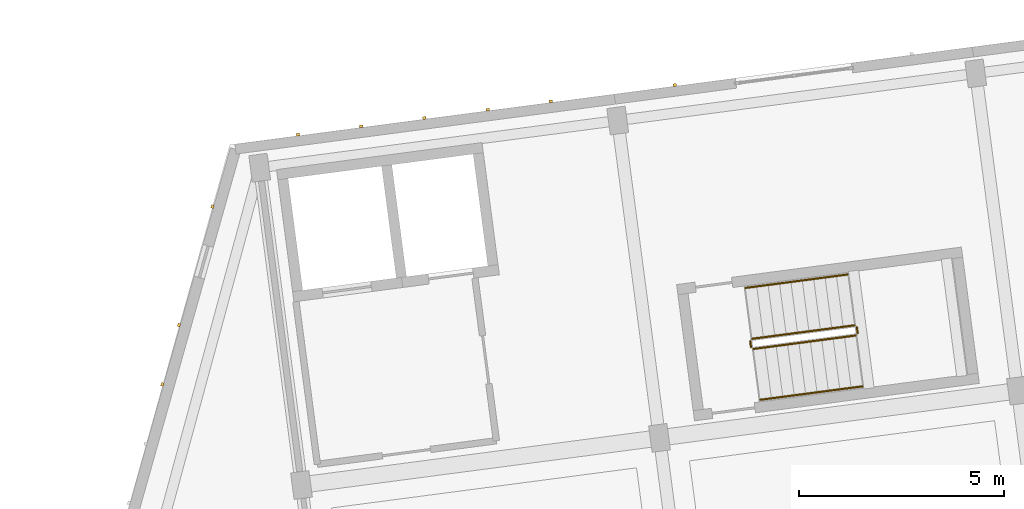
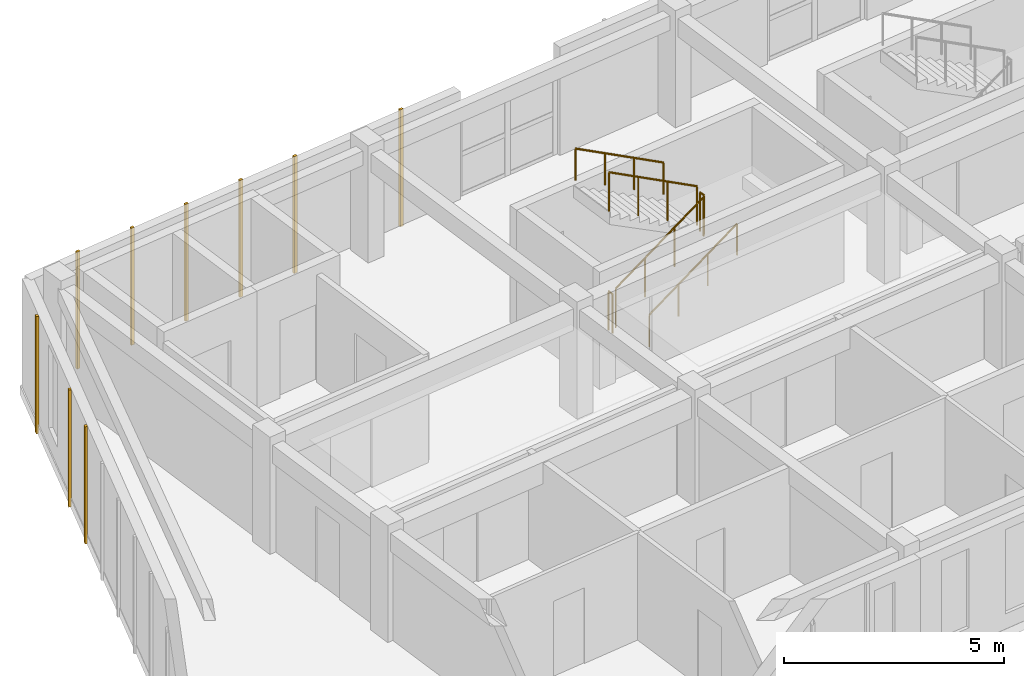
# One storey, part 38 of 56: 9 coverings, 6 railings.
"""IFC4 building model written with IfcOpenShell, lengths in metres."""

from ifc_helpers import new_model, si_unit, direction, frame, origin, origin_2d, place, context, subcontext, project, spatial, rectangle, circle, extrude, material, layer, layer_set, type_object, element, save


model = new_model("IFC4")

# Units and contexts
model_context = context("Model", 3, precision=1e-05, world=origin(), true_north=direction((0.0, 1.0)))
body_context = subcontext(model_context, "Body", "Model", "MODEL_VIEW")
ifc_project = project(units=[si_unit("LENGTHUNIT", "METRE"), si_unit("AREAUNIT", "SQUARE_METRE"), si_unit("VOLUMEUNIT", "CUBIC_METRE"), si_unit("PLANEANGLEUNIT", "RADIAN"), si_unit("MASSUNIT", "GRAM", prefix="KILO")], contexts=[model_context])

# Site, building, storey
site_placement = place(None, origin())
site = spatial("IfcSite", under=ifc_project, at=site_placement, CompositionType="ELEMENT")
building_placement = place(site_placement, origin())
building = spatial("IfcBuilding", under=site, at=building_placement, Name="Kestramere Prow Commons", CompositionType="ELEMENT")
storey_placement = place(building_placement, frame((0.0, 0.0, 27.89990234375)))
storey = spatial("IfcBuildingStorey", under=building, at=storey_placement, Name="L08", CompositionType="ELEMENT", Elevation=27.89990234375)

# Coverings
ifc_material_1 = material(Name="Weathered Zinc-Titanium Standing-Seam Cladding")
ifc_layer = layer(ifc_material_1, 0.074951171875)
ifc_layer_set = layer_set([ifc_layer], Name="Weathered Zinc-Titanium Standing-Seam Cladding")
covering_type = type_object("IfcCoveringType", Name="COV-CLAD-SEAM", PredefinedType="CLADDING", material=ifc_layer_set)
for number, where, z_axis, x_axis, name in (
    (1, (9.521484375, 92.635009765625, -0.25), (0.0, 0.0, 1.0), (0.991444861374, 0.13052619222, 0.0), "EW-A-L08-N-0 Standing-Seam Rib 1"),
    (2, (11.062255859375, 92.837890625, -0.25), (0.0, 0.0, 1.0), (0.991444861374, 0.13052619222, 0.0), "EW-A-L08-N-0 Standing-Seam Rib 2"),
    (3, (12.603271484375, 93.040771484375, -0.25), (0.0, 0.0, 1.0), (0.991444861374, 0.13052619222, 0.0), "EW-A-L08-N-0 Standing-Seam Rib 3"),
    (4, (14.14404296875, 93.243408203125, -0.25), (0.0, 0.0, 1.0), (0.991444861374, 0.13052619222, 0.0), "EW-A-L08-N-0 Standing-Seam Rib 4"),
    (5, (15.684814453125, 93.4462890625, -0.25), (0.0, 0.0, 1.0), (0.991444861374, 0.13052619222, 0.0), "EW-A-L08-N-0 Standing-Seam Rib 5"),
    (6, (18.700439453125, 93.843505859375, -0.25), (0.0, 0.0, 1.0), (0.991444861374, 0.13052619222, 0.0), "EW-A-L08-NP-1-L Standing-Seam Rib 1"),
    (7, (6.216552734375, 86.547607421875, -0.25), (0.0, 0.0, 1.0), (0.271159911526, 0.962534312314, 0.0), "EW-A-L08-PRW-N Standing-Seam Rib 9"),
    (8, (6.623291015625, 87.991943359375, -0.25), (0.0, 0.0, 1.0), (0.271159911526, 0.962534312314, 0.0), "EW-A-L08-PRW-N Standing-Seam Rib 10"),
    (9, (7.437255859375, 90.880615234375, -0.25), (0.0, 0.0, 1.0), (0.271159911526, 0.962534312314, 0.0), "EW-A-L08-PRW-N Standing-Seam Rib 12"),
):
    element("IfcCovering", number, at=place(storey_placement, frame(where, z_axis=z_axis, x_axis=x_axis)), inside=storey, type_object=covering_type, Name=name, PredefinedType="CLADDING", context=body_context, shape_type="SweptSolid", body=[
        extrude(rectangle(XDim=0.0849609375, YDim=0.06494140625, at=origin_2d()), origin(), (0.0, 0.0, 1.0), 3.25),
    ])

# Railings
ifc_material_2 = material(Name="Galvanised Steel S275JR", Category="steel")
railing_type_1 = type_object("IfcRailingType", Name="RL-ST-GR-1100", PredefinedType="GUARDRAIL", material=ifc_material_2)
railing_1_placement = place(storey_placement, frame((20.618896484375, 87.411376953125, 0.16259765625)))
element("IfcRailing", 10, at=railing_1_placement, inside=storey, type_object=railing_type_1, Name="L08 ST-A1 stair guard 1", PredefinedType="GUARDRAIL", context=body_context, shape_type="SweptSolid", body=[
    extrude(circle(Radius=0.02392578125, at=origin_2d()), frame((0.0, 0.0, 1.076171875), z_axis=(0.85752303711, 0.112867259233, 0.501911568525), x_axis=(-0.130494608992, 0.991449018873, 0.0)), (0.0, 0.0, 1.0), 2.91357421875),
    extrude(circle(Radius=0.02099609375, at=origin_2d()), origin(), (0.0, 0.0, 1.0), 1.052001953125),
    extrude(circle(Radius=0.02099609375, at=origin_2d()), frame((0.832763671875, 0.109619140625, 0.487548828125)), (0.0, 0.0, 1.0), 1.052001953125),
    extrude(circle(Radius=0.02099609375, at=origin_2d()), frame((1.665771484375, 0.21923828125, 0.974853515625)), (0.0, 0.0, 1.0), 1.052001953125),
    extrude(circle(Radius=0.02099609375, at=origin_2d()), frame((2.49853515625, 0.328857421875, 1.46240234375)), (0.0, 0.0, 1.0), 1.052001953125),
])
railing_2_placement = place(storey_placement, frame((23.160400390625, 87.79638671875, 1.625)))
element("IfcRailing", 11, at=railing_2_placement, inside=storey, type_object=railing_type_1, Name="L08 ST-A1 stair guard 2", PredefinedType="GUARDRAIL", context=body_context, shape_type="SweptSolid", body=[
    extrude(circle(Radius=0.02392578125, at=origin_2d()), frame((0.0, 0.0, 1.076171875), z_axis=(-0.130243938252, 0.991481979941, 0.0), x_axis=(-0.991481979941, -0.130243938252, 0.0)), (0.0, 0.0, 1.0), 0.14990234375),
    extrude(circle(Radius=0.02099609375, at=origin_2d()), origin(), (0.0, 0.0, 1.0), 1.052001953125),
    extrude(circle(Radius=0.02099609375, at=origin_2d()), frame((-0.01953125, 0.148681640625, 0.0)), (0.0, 0.0, 1.0), 1.052001953125),
])
railing_3_placement = place(storey_placement, frame((23.084716796875, 87.988037109375, 1.78759765625)))
element("IfcRailing", 12, at=railing_3_placement, inside=storey, type_object=railing_type_1, Name="L08 ST-A1 stair guard 3", PredefinedType="GUARDRAIL", context=body_context, shape_type="SweptSolid", body=[
    extrude(circle(Radius=0.02392578125, at=origin_2d()), frame((0.0, 0.0, 1.076171875), z_axis=(-0.857500858922, -0.112875369585, 0.501947634608), x_axis=(0.130507144135, -0.991447368916, 0.0)), (0.0, 0.0, 1.0), 2.91357421875),
    extrude(circle(Radius=0.02099609375, at=origin_2d()), origin(), (0.0, 0.0, 1.0), 1.052001953125),
    extrude(circle(Radius=0.02099609375, at=origin_2d()), frame((-0.832763671875, -0.109619140625, 0.487548828125)), (0.0, 0.0, 1.0), 1.052001953125),
    extrude(circle(Radius=0.02099609375, at=origin_2d()), frame((-1.66552734375, -0.21923828125, 0.974853515625)), (0.0, 0.0, 1.0), 1.052001953125),
    extrude(circle(Radius=0.02099609375, at=origin_2d()), frame((-2.498291015625, -0.328857421875, 1.46240234375)), (0.0, 0.0, 1.0), 1.052001953125),
])
railing_4_placement = place(storey_placement, frame((20.56298828125, 87.454345703125, 0.0)))
element("IfcRailing", 13, at=railing_4_placement, inside=storey, type_object=railing_type_1, Name="L08 ST-A1 stair guard 4", PredefinedType="GUARDRAIL", context=body_context, shape_type="SweptSolid", body=[
    extrude(circle(Radius=0.02392578125, at=origin_2d()), frame((0.0, 0.0, 1.076171875), z_axis=(-0.131843859112, 0.99127049629, 0.0), x_axis=(-0.99127049629, -0.131843859112, 0.0)), (0.0, 0.0, 1.0), 0.14990234375),
    extrude(circle(Radius=0.02099609375, at=origin_2d()), origin(), (0.0, 0.0, 1.0), 1.052001953125),
    extrude(circle(Radius=0.02099609375, at=origin_2d()), frame((-0.019775390625, 0.148681640625, 0.0)), (0.0, 0.0, 1.0), 1.052001953125),
])
ifc_material_3 = material(Name="Stainless Steel 304", Category="steel")
railing_type_2 = type_object("IfcRailingType", Name="RL-ST-HR-900", PredefinedType="HANDRAIL", material=ifc_material_3)
railing_5_placement = place(storey_placement, frame((20.7822265625, 86.171875, 0.3251953125)))
element("IfcRailing", 14, at=railing_5_placement, inside=storey, type_object=railing_type_2, Name="L08 ST-A1 stair handrail 1", PredefinedType="HANDRAIL", context=body_context, shape_type="SweptSolid", body=[
    extrude(circle(Radius=0.02392578125, at=origin_2d()), frame((0.0, 0.0, 0.8759765625), z_axis=(0.857492745196, 0.112958098361, 0.501942885148), x_axis=(-0.130602379397, 0.991434828164, 0.0)), (0.0, 0.0, 1.0), 2.91357421875),
    extrude(circle(Radius=0.02099609375, at=origin_2d()), origin(), (0.0, 0.0, 1.0), 0.851806640625),
    extrude(circle(Radius=0.02099609375, at=origin_2d()), frame((0.832763671875, 0.109619140625, 0.487548828125)), (0.0, 0.0, 1.0), 0.851806640625),
    extrude(circle(Radius=0.02099609375, at=origin_2d()), frame((1.66552734375, 0.219482421875, 0.974853515625)), (0.0, 0.0, 1.0), 0.851806640625),
    extrude(circle(Radius=0.02099609375, at=origin_2d()), frame((2.498291015625, 0.3291015625, 1.46240234375)), (0.0, 0.0, 1.0), 0.851806640625),
])
railing_6_placement = place(storey_placement, frame((22.921630859375, 89.227294921875, 1.9501953125)))
element("IfcRailing", 15, at=railing_6_placement, inside=storey, type_object=railing_type_2, Name="L08 ST-A1 stair handrail 2", PredefinedType="HANDRAIL", context=body_context, shape_type="SweptSolid", body=[
    extrude(circle(Radius=0.02392578125, at=origin_2d()), frame((0.0, 0.0, 0.8759765625), z_axis=(-0.85752303711, -0.112867259233, 0.501911568525), x_axis=(0.130494608992, -0.991449018873, 0.0)), (0.0, 0.0, 1.0), 2.91357421875),
    extrude(circle(Radius=0.02099609375, at=origin_2d()), origin(), (0.0, 0.0, 1.0), 0.851806640625),
    extrude(circle(Radius=0.02099609375, at=origin_2d()), frame((-0.832763671875, -0.109619140625, 0.487548828125)), (0.0, 0.0, 1.0), 0.851806640625),
    extrude(circle(Radius=0.02099609375, at=origin_2d()), frame((-1.665771484375, -0.21923828125, 0.974853515625)), (0.0, 0.0, 1.0), 0.851806640625),
    extrude(circle(Radius=0.02099609375, at=origin_2d()), frame((-2.49853515625, -0.328857421875, 1.46240234375)), (0.0, 0.0, 1.0), 0.851806640625),
])

save(model, "model.ifc")
